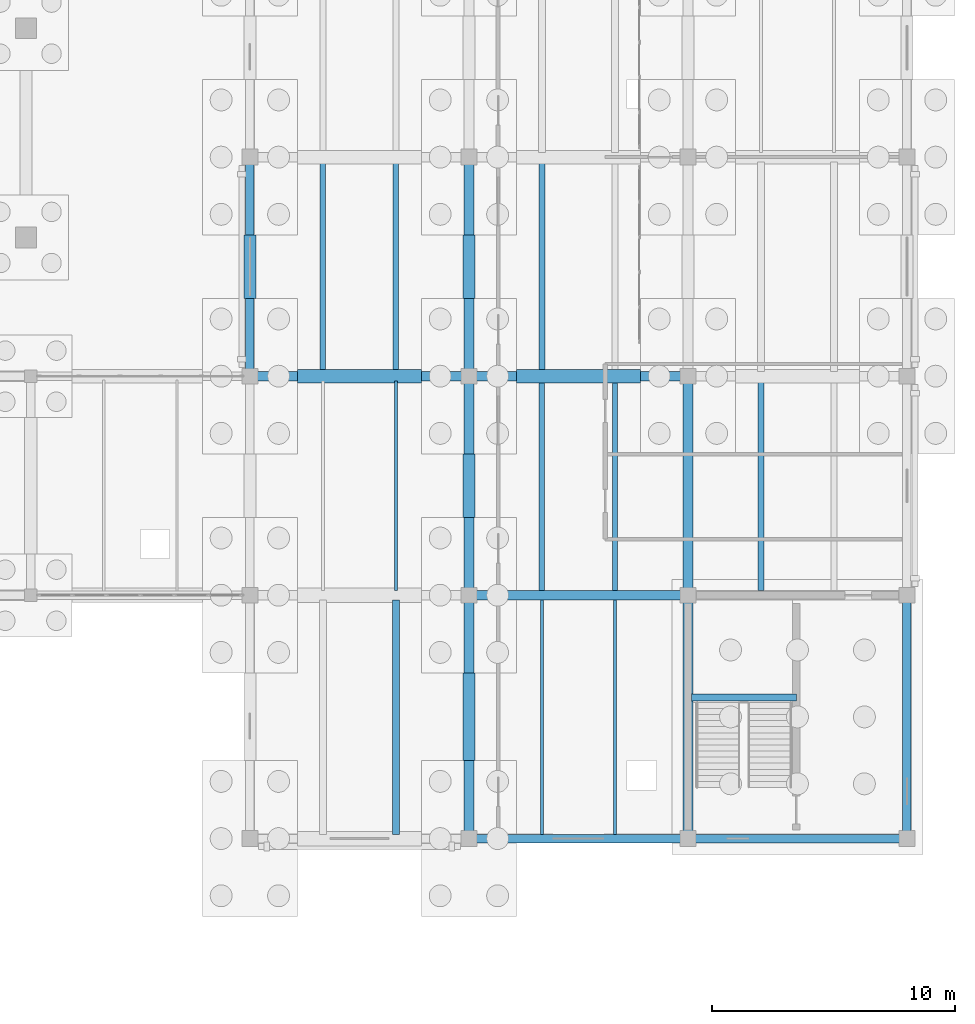
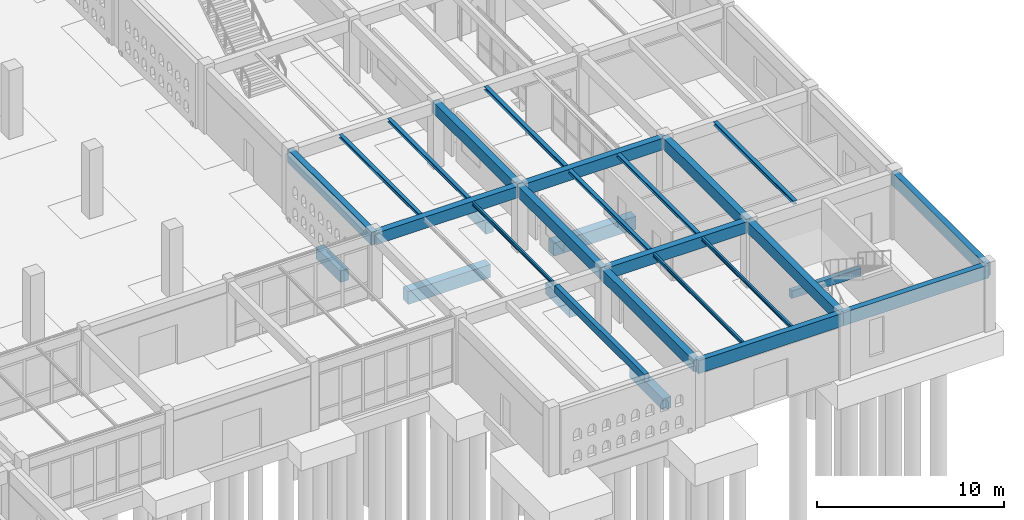
# One storey, part 113 of 186: 29 beams.
"""IFC4 building model written with IfcOpenShell, lengths in metres."""

import ifcopenshell
import ifcopenshell.guid

model = None  # the IFC model being written
_history = None  # IfcOwnerHistory: only IFC2X3 demands one
_inside = {}  # id of a spatial element -> (the spatial element, [elements in it])
_under = {}  # id of a project, library or spatial element -> (it, [spatial elements below it])
_declared = {}  # id of a project -> (the project, [libraries it declares])
_typed = {}  # id of a type object -> (the type object, [elements of that type])
_made_of = {}  # id of a material, layer set ... -> (it, [elements and type objects made of it])


def new_model(schema):
    """Start an empty IFC model of exactly this schema.

    Asked for "IFC4X3", IfcOpenShell would pick the latest addendum, in which some entities
    have other attributes; the version numbers below select the first issue.
    IFC2X3 requires an IfcOwnerHistory on every rooted entity: one is made here for all.
    """
    global model, _history
    if schema == "IFC4X3":
        model = ifcopenshell.file(schema_version=(4, 3, 0, 0))
    else:
        model = ifcopenshell.file(schema=schema)
    _inside.clear()
    _under.clear()
    _declared.clear()
    _typed.clear()
    _made_of.clear()
    _history = None
    if model.schema == "IFC2X3":
        org = make("IfcOrganization", Name="unknown")
        user = make(
            "IfcPersonAndOrganization",
            ThePerson=make("IfcPerson", FamilyName="unknown"),
            TheOrganization=org,
        )
        app = make(
            "IfcApplication",
            ApplicationDeveloper=org,
            Version="unknown",
            ApplicationFullName="unknown",
            ApplicationIdentifier="unknown",
        )
        _history = make(
            "IfcOwnerHistory",
            OwningUser=user,
            OwningApplication=app,
            ChangeAction="ADDED",
            CreationDate=0,
        )
    return model


def make(cls, **values):
    """One entity of the class cls with the attributes given. An attribute that is None is left unset."""
    return model.create_entity(
        cls, **{name: value for name, value in values.items() if value is not None}
    )


def rooted(cls, **values):
    """An entity with a GlobalId (a new one), such as an element, a storey or a relation."""
    return make(cls, GlobalId=ifcopenshell.guid.new(), OwnerHistory=_history, **values)


def si_unit(unit_type, name, prefix=None):
    """IfcSIUnit, for example si_unit("LENGTHUNIT", "METRE", prefix="MILLI")."""
    return make("IfcSIUnit", UnitType=unit_type, Prefix=prefix, Name=name)


def assignment(units):
    """IfcUnitAssignment: the units of a project."""
    return None if units is None else make("IfcUnitAssignment", Units=units)


def point(xyz):
    """IfcCartesianPoint."""
    return None if xyz is None else make("IfcCartesianPoint", Coordinates=xyz)


def direction(xyz):
    """IfcDirection."""
    return None if xyz is None else make("IfcDirection", DirectionRatios=xyz)


def frame(location, z_axis=None, x_axis=None):
    """IfcAxis2Placement3D, a coordinate frame: its origin and axes. An axis left out is left unset."""
    return make(
        "IfcAxis2Placement3D",
        Location=point(location),
        Axis=direction(z_axis),
        RefDirection=direction(x_axis),
    )


def frame_2d(location, x_axis=None):
    """IfcAxis2Placement2D, a coordinate frame in the plane: its origin and x axis."""
    return make(
        "IfcAxis2Placement2D", Location=point(location), RefDirection=direction(x_axis)
    )


def origin():
    """The frame at (0, 0, 0) with its axes left unset."""
    return frame((0.0, 0.0, 0.0))


def origin_2d():
    """The frame at (0, 0) in the plane with its x axis left unset."""
    return frame_2d((0.0, 0.0))


def place(relative_to, where):
    """IfcLocalPlacement: puts the frame where relative to a parent placement (None: the world)."""
    return make(
        "IfcLocalPlacement", PlacementRelTo=relative_to, RelativePlacement=where
    )


def context(
    kind, dimensions, precision=None, world=None, true_north=None, identifier=None
):
    """IfcGeometricRepresentationContext, for example the 3D "Model" context."""
    return make(
        "IfcGeometricRepresentationContext",
        ContextIdentifier=identifier,
        ContextType=kind,
        CoordinateSpaceDimension=dimensions,
        Precision=precision,
        WorldCoordinateSystem=world,
        TrueNorth=true_north,
    )


def subcontext(parent, identifier, kind, view, scale=None):
    """IfcGeometricRepresentationSubContext, for example "Body" below "Model"."""
    return make(
        "IfcGeometricRepresentationSubContext",
        ContextIdentifier=identifier,
        ContextType=kind,
        ParentContext=parent,
        TargetScale=scale,
        TargetView=view,
    )


def project(units=None, contexts=None):
    """IfcProject with its units and contexts."""
    return rooted(
        "IfcProject",
        Name="project",
        RepresentationContexts=contexts,
        UnitsInContext=assignment(units),
    )


def spatial(cls, under=None, at=None, **own):
    """A site, building, storey or space (cls), placed at a placement, below another one or the project."""
    s = rooted(cls, ObjectPlacement=at, **own)
    if under is not None:
        _under.setdefault(under.id(), (under, []))[1].append(s)
    return s


def profile(cls, at=None, kind="AREA", **sizes):
    """A parametric profile (cls). Its sizes go by their IFC names, for example OverallWidth=200.0."""
    return make(cls, ProfileType=kind, Position=at, **sizes)


def rectangle(**sizes):
    """IfcRectangleProfileDef."""
    return profile("IfcRectangleProfileDef", **sizes)


def i_section(**sizes):
    """IfcIShapeProfileDef."""
    return profile("IfcIShapeProfileDef", **sizes)


def extrude(swept, where, along, depth):
    """IfcExtrudedAreaSolid: the profile swept, set in the frame where, extruded along a direction by depth."""
    return make(
        "IfcExtrudedAreaSolid",
        SweptArea=swept,
        Position=where,
        ExtrudedDirection=direction(along),
        Depth=depth,
    )


def shape(context_of_items, identifier, shape_type, items):
    """IfcShapeRepresentation: the items that make up one representation, for example the "Body"."""
    return make(
        "IfcShapeRepresentation",
        ContextOfItems=context_of_items,
        RepresentationIdentifier=identifier,
        RepresentationType=shape_type,
        Items=items,
    )


def material(Name=None, Category=None):
    """IfcMaterial."""
    return make("IfcMaterial", Name=Name, Category=Category)


def material_profile(
    of_material, cross_section, Name=None, Category=None, Priority=None
):
    """IfcMaterialProfile: a cross section and its material."""
    return make(
        "IfcMaterialProfile",
        Name=Name,
        Material=of_material,
        Profile=cross_section,
        Priority=Priority,
        Category=Category,
    )


def profile_set(profiles, Name=None, composite=None):
    """IfcMaterialProfileSet."""
    return make(
        "IfcMaterialProfileSet",
        Name=Name,
        MaterialProfiles=profiles,
        CompositeProfile=composite,
    )


def made_of(thing, what):
    """Note that an element or type object is made of a material, layer set ...; save() writes the relation."""
    if what is not None:
        _made_of.setdefault(what.id(), (what, []))[1].append(thing)
    return thing


def type_object(cls, material=None, **own):
    """A type object (cls), such as IfcWallType, which elements share."""
    return made_of(rooted(cls, **own), material)


def element(
    cls,
    number,
    at=None,
    inside=None,
    cuts=None,
    type_object=None,
    material=None,
    context=None,
    identifier="Body",
    shape_type=None,
    held_by="IfcProductDefinitionShape",
    body=None,
    shapes=None,
    **own,
):
    """One element of the class cls, such as IfcWall. Its Tag is "e" and its number.

    at: its placement. inside: the storey or other place that contains it. cuts: it is an
    opening in that element (IfcRelVoidsElement). A single representation is given by context,
    identifier, shape_type and body (its items); several are given by shapes. held_by: the class
    of the entity that holds the representations. save() writes the other relations.
    """
    e = rooted(cls, Tag="e%d" % number, ObjectPlacement=at, **own)
    if body is not None:
        shapes = [shape(context, identifier, shape_type, body)]
    if shapes is not None:
        e.Representation = make(held_by, Representations=shapes)
    if inside is not None:
        _inside.setdefault(inside.id(), (inside, []))[1].append(e)
    if cuts is not None:
        rooted(
            "IfcRelVoidsElement", RelatingBuildingElement=cuts, RelatedOpeningElement=e
        )
    if type_object is not None:
        _typed.setdefault(type_object.id(), (type_object, []))[1].append(e)
    return made_of(e, material)


def aggregate(whole, parts):
    """IfcRelAggregates: a whole, such as a stair, and the parts it consists of."""
    return rooted("IfcRelAggregates", RelatingObject=whole, RelatedObjects=parts)


def save(model, path):
    """Write the relations noted so far, then the file.

    IfcRelAggregates (storeys below a building ...), IfcRelContainedInSpatialStructure (elements
    in a storey), IfcRelDefinesByType, IfcRelAssociatesMaterial and IfcRelDeclares: one each for
    every whole, place, type object, material and project.
    """
    for whole, parts in _under.values():
        aggregate(whole, parts)
    for where, things in _inside.values():
        rooted(
            "IfcRelContainedInSpatialStructure",
            RelatedElements=things,
            RelatingStructure=where,
        )
    for kind, things in _typed.values():
        rooted("IfcRelDefinesByType", RelatedObjects=things, RelatingType=kind)
    for what, things in _made_of.values():
        rooted("IfcRelAssociatesMaterial", RelatedObjects=things, RelatingMaterial=what)
    for by, libraries in _declared.values():
        rooted("IfcRelDeclares", RelatingContext=by, RelatedDefinitions=libraries)
    model.write(path)


model = new_model("IFC4")

# Units and contexts
model_context = context("Model", 3, precision=1e-05, world=origin(), true_north=direction((0.0, 1.0)))
body_context = subcontext(model_context, "Body", "Model", "MODEL_VIEW")
ifc_project = project(units=[si_unit("LENGTHUNIT", "METRE"), si_unit("AREAUNIT", "SQUARE_METRE"), si_unit("VOLUMEUNIT", "CUBIC_METRE"), si_unit("PLANEANGLEUNIT", "RADIAN"), si_unit("MASSUNIT", "GRAM", prefix="KILO")], contexts=[model_context])

# Site, building, storey
site_placement = place(None, origin())
site = spatial("IfcSite", under=ifc_project, at=site_placement, CompositionType="ELEMENT")
building_placement = place(site_placement, origin())
building = spatial("IfcBuilding", under=site, at=building_placement, Name="Ornek Quay Market", CompositionType="ELEMENT")
storey_placement = place(building_placement, origin())
storey = spatial("IfcBuildingStorey", under=building, at=storey_placement, Name="L00", CompositionType="ELEMENT", Elevation=0.0)

# Beams
ifc_material_1 = material(Name="Concrete C35/45", Category="concrete")
ifc_material_profile_1 = material_profile(ifc_material_1, rectangle(XDim=0.39990234375, YDim=0.75, at=origin_2d()), Name="RC 400x750", Category="concrete")
ifc_profile_set_1 = profile_set([ifc_material_profile_1], Name="Concrete C35/45")
beam_type_1 = type_object("IfcBeamType", Name="BM-CS-400x750", PredefinedType="BEAM", material=ifc_profile_set_1)
for number, where, z_axis, x_axis, name in (
    (1, (162.0, 20.0, 3.875), (1.0, 0.0, 0.0), (0.0, 1.0, 0.0), "Primary beam B-CS1-002"),
    (2, (153.0, 29.0, 3.875), (1.0, 0.0, 0.0), (0.0, 1.0, 0.0), "Primary beam B-CS1-004"),
    (3, (162.0, 29.0, 3.875), (1.0, 0.0, 0.0), (0.0, 1.0, 0.0), "Primary beam B-CS1-005"),
):
    element("IfcBeam", number, at=place(storey_placement, frame(where, z_axis=z_axis, x_axis=x_axis)), inside=storey, type_object=beam_type_1, Name=name, PredefinedType="BEAM", context=body_context, shape_type="SweptSolid", body=[
        extrude(rectangle(XDim=0.39990234375, YDim=0.75, at=origin_2d()), origin(), (0.0, 0.0, 1.0), 9.0),
    ])
beam_1_placement = place(storey_placement, frame((162.0, 10.0, 3.875), z_axis=(0.0, 1.0, 0.0), x_axis=(-1.0, 0.0, 0.0)))
element("IfcBeam", 4, at=beam_1_placement, inside=storey, type_object=beam_type_1, Name="Primary beam B-CS1-016", PredefinedType="BEAM", context=body_context, shape_type="SweptSolid", body=[
    extrude(rectangle(XDim=0.39990234375, YDim=0.75, at=origin_2d()), origin(), (0.0, 0.0, 1.0), 10.0),
])
for number, where, z_axis, x_axis, name in (
    (5, (162.0, 20.0, 3.875), (0.0, 1.0, 0.0), (-1.0, 0.0, 0.0), "Primary beam B-CS1-017"),
    (6, (162.0, 29.0, 3.875), (0.0, 1.0, 0.0), (-1.0, 0.0, 0.0), "Primary beam B-CS1-018"),
):
    element("IfcBeam", number, at=place(storey_placement, frame(where, z_axis=z_axis, x_axis=x_axis)), inside=storey, type_object=beam_type_1, Name=name, PredefinedType="BEAM", context=body_context, shape_type="SweptSolid", body=[
        extrude(rectangle(XDim=0.39990234375, YDim=0.75, at=origin_2d()), origin(), (0.0, 0.0, 1.0), 9.0),
    ])
beam_2_placement = place(storey_placement, frame((171.0, 10.0, 3.875), z_axis=(0.0, 1.0, 0.0), x_axis=(-1.0, 0.0, 0.0)))
element("IfcBeam", 7, at=beam_2_placement, inside=storey, type_object=beam_type_1, Name="Primary beam B-CS1-022", PredefinedType="BEAM", context=body_context, shape_type="SweptSolid", body=[
    extrude(rectangle(XDim=0.39990234375, YDim=0.75, at=origin_2d()), origin(), (0.0, 0.0, 1.0), 10.0),
])
beam_3_placement = place(storey_placement, frame((171.0, 20.0, 3.875), z_axis=(0.0, 1.0, 0.0), x_axis=(-1.0, 0.0, 0.0)))
element("IfcBeam", 8, at=beam_3_placement, inside=storey, type_object=beam_type_1, Name="Primary beam B-CS1-023", PredefinedType="BEAM", context=body_context, shape_type="SweptSolid", body=[
    extrude(rectangle(XDim=0.39990234375, YDim=0.75, at=origin_2d()), origin(), (0.0, 0.0, 1.0), 9.0),
])
ifc_material_profile_2 = material_profile(ifc_material_1, rectangle(XDim=0.5, YDim=0.75, at=origin_2d()), Name="RC 500x750", Category="concrete")
ifc_profile_set_2 = profile_set([ifc_material_profile_2], Name="Concrete C35/45")
beam_type_2 = type_object("IfcBeamType", Name="BM-GB-500x750", PredefinedType="BEAM", material=ifc_profile_set_2)
beam_4_placement = place(storey_placement, frame((153.0, 32.199951171875, -0.574951171875), z_axis=(0.0, 1.0, 0.0), x_axis=(-1.0, 0.0, 0.0)))
element("IfcBeam", 9, at=beam_4_placement, inside=storey, type_object=beam_type_2, Name="Ground tie beam GB-390", PredefinedType="BEAM", context=body_context, shape_type="SweptSolid", body=[
    extrude(rectangle(XDim=0.5, YDim=0.75, at=origin_2d()), origin(), (0.0, 0.0, 1.0), 2.60009765625),
])
beam_5_placement = place(storey_placement, frame((162.0, 13.199951171875, -0.574951171875), z_axis=(0.0, 1.0, 0.0), x_axis=(-1.0, 0.0, 0.0)))
element("IfcBeam", 10, at=beam_5_placement, inside=storey, type_object=beam_type_2, Name="Ground tie beam GB-400", PredefinedType="BEAM", context=body_context, shape_type="SweptSolid", body=[
    extrude(rectangle(XDim=0.5, YDim=0.75, at=origin_2d()), origin(), (0.0, 0.0, 1.0), 3.60009765625),
])
for number, where, z_axis, x_axis, name in (
    (11, (162.0, 23.199951171875, -0.574951171875), (0.0, 1.0, 0.0), (-1.0, 0.0, 0.0), "Ground tie beam GB-401"),
    (12, (162.0, 32.199951171875, -0.574951171875), (0.0, 1.0, 0.0), (-1.0, 0.0, 0.0), "Ground tie beam GB-402"),
):
    element("IfcBeam", number, at=place(storey_placement, frame(where, z_axis=z_axis, x_axis=x_axis)), inside=storey, type_object=beam_type_2, Name=name, PredefinedType="BEAM", context=body_context, shape_type="SweptSolid", body=[
        extrude(rectangle(XDim=0.5, YDim=0.75, at=origin_2d()), origin(), (0.0, 0.0, 1.0), 2.60009765625),
    ])
ifc_material_profile_3 = material_profile(ifc_material_1, rectangle(XDim=0.550048828125, YDim=0.85009765625, at=origin_2d()), Name="RC 550x850", Category="concrete")
ifc_profile_set_3 = profile_set([ifc_material_profile_3], Name="Concrete C35/45")
beam_type_3 = type_object("IfcBeamType", Name="BM-GB-550x850", PredefinedType="BEAM", material=ifc_profile_set_3)
for number, where, z_axis, x_axis, name in (
    (13, (154.949951171875, 29.0, -0.625), (1.0, 0.0, 0.0), (0.0, 1.0, 0.0), "Ground tie beam GB-314"),
    (14, (163.949951171875, 29.0, -0.625), (1.0, 0.0, 0.0), (0.0, 1.0, 0.0), "Ground tie beam GB-315"),
):
    element("IfcBeam", number, at=place(storey_placement, frame(where, z_axis=z_axis, x_axis=x_axis)), inside=storey, type_object=beam_type_3, Name=name, PredefinedType="BEAM", context=body_context, shape_type="SweptSolid", body=[
        extrude(rectangle(XDim=0.550048828125, YDim=0.85009765625, at=origin_2d()), origin(), (0.0, 0.0, 1.0), 5.10009765625),
    ])
ifc_material_profile_4 = material_profile(ifc_material_1, rectangle(XDim=0.280029296875, YDim=0.5, at=origin_2d()), Name="RC 280x500", Category="concrete")
ifc_profile_set_4 = profile_set([ifc_material_profile_4], Name="Concrete C35/45")
beam_type_4 = type_object("IfcBeamType", Name="BM-SEC-280x500", PredefinedType="JOIST", material=ifc_profile_set_4)
beam_6_placement = place(storey_placement, frame((159.0, 10.1669921875, 4.0), z_axis=(0.0, 1.0, 0.0), x_axis=(-1.0, 0.0, 0.0)))
element("IfcBeam", 15, at=beam_6_placement, inside=storey, type_object=beam_type_4, Name="Secondary joist B-SC2-080", PredefinedType="JOIST", context=body_context, shape_type="SweptSolid", body=[
    extrude(rectangle(XDim=0.280029296875, YDim=0.5, at=origin_2d()), origin(), (0.0, 0.0, 1.0), 9.64111328125),
])
beam_7_placement = place(storey_placement, frame((171.14990234375, 15.7919921875, 1.8349609375), z_axis=(1.0, 0.0, 0.0), x_axis=(0.0, 1.0, 0.0)))
element("IfcBeam", 16, at=beam_7_placement, inside=storey, type_object=beam_type_4, Name="Stair landing beam BL-14", PredefinedType="JOIST", context=body_context, shape_type="SweptSolid", body=[
    extrude(rectangle(XDim=0.280029296875, YDim=0.5, at=origin_2d()), origin(), (0.0, 0.0, 1.0), 4.300048828125),
])
ifc_material_2 = material(Name="Concrete C40/50", Category="concrete")
ifc_material_profile_5 = material_profile(ifc_material_2, rectangle(XDim=0.35009765625, YDim=0.85009765625, at=origin_2d()), Name="RC 350x850", Category="concrete")
ifc_profile_set_5 = profile_set([ifc_material_profile_5], Name="Concrete C40/50")
beam_type_5 = type_object("IfcBeamType", Name="BM-SPN-350x850", PredefinedType="SPANDREL", material=ifc_profile_set_5)
for number, where, z_axis, x_axis, name in (
    (17, (162.0, 10.0, 3.824951171875), (1.0, 0.0, 0.0), (0.0, 1.0, 0.0), "Primary beam B-SP1-118"),
    (18, (171.0, 10.0, 3.824951171875), (1.0, 0.0, 0.0), (0.0, 1.0, 0.0), "Primary beam B-SP1-119"),
    (19, (153.0, 29.0, 3.824951171875), (0.0, 1.0, 0.0), (-1.0, 0.0, 0.0), "Primary beam B-SP1-121"),
):
    element("IfcBeam", number, at=place(storey_placement, frame(where, z_axis=z_axis, x_axis=x_axis)), inside=storey, type_object=beam_type_5, Name=name, PredefinedType="SPANDREL", context=body_context, shape_type="SweptSolid", body=[
        extrude(rectangle(XDim=0.35009765625, YDim=0.85009765625, at=origin_2d()), origin(), (0.0, 0.0, 1.0), 9.0),
    ])
beam_8_placement = place(storey_placement, frame((180.0, 10.0, 3.824951171875), z_axis=(0.0, 1.0, 0.0), x_axis=(-1.0, 0.0, 0.0)))
element("IfcBeam", 20, at=beam_8_placement, inside=storey, type_object=beam_type_5, Name="Primary beam B-SP1-125", PredefinedType="SPANDREL", context=body_context, shape_type="SweptSolid", body=[
    extrude(rectangle(XDim=0.35009765625, YDim=0.85009765625, at=origin_2d()), origin(), (0.0, 0.0, 1.0), 10.0),
])
ifc_material_3 = material(Name="Steel S355", Category="steel")
ifc_material_profile_6 = material_profile(ifc_material_3, i_section(OverallWidth=0.219970703125, OverallDepth=0.2099609375, WebThickness=0.007080078125, FlangeThickness=0.010986328125, FilletRadius=0.01806640625, at=origin_2d()), Name="HEA 220", Category="steel")
ifc_profile_set_6 = profile_set([ifc_material_profile_6], Name="Steel S355")
beam_type_6 = type_object("IfcBeamType", Name="BM-STL-HEA220", PredefinedType="BEAM", material=ifc_profile_set_6)
for number, where, z_axis, x_axis, name in (
    (21, (156.0, 29.19189453125, 4.14501953125), (0.0, 1.0, 0.0), (-1.0, 0.0, 0.0), "Secondary joist SB-13-015"),
    (22, (159.0, 29.19189453125, 4.14501953125), (0.0, 1.0, 0.0), (-1.0, 0.0, 0.0), "Secondary joist SB-13-016"),
    (23, (165.0, 20.19189453125, 4.14501953125), (0.0, 1.0, 0.0), (-1.0, 0.0, 0.0), "Secondary joist SB-13-017"),
    (24, (168.0, 20.19189453125, 4.14501953125), (0.0, 1.0, 0.0), (-1.0, 0.0, 0.0), "Secondary joist SB-13-018"),
):
    element("IfcBeam", number, at=place(storey_placement, frame(where, z_axis=z_axis, x_axis=x_axis)), inside=storey, type_object=beam_type_6, Name=name, PredefinedType="BEAM", context=body_context, shape_type="SweptSolid", body=[
        extrude(i_section(OverallWidth=0.219970703125, OverallDepth=0.2099609375, WebThickness=0.007080078125, FlangeThickness=0.010986328125, FilletRadius=0.01806640625, at=origin_2d()), origin(), (0.0, 0.0, 1.0), 8.6162109375),
    ])
ifc_material_profile_7 = material_profile(ifc_material_3, i_section(OverallWidth=0.239990234375, OverallDepth=0.22998046875, WebThickness=0.007568359375, FlangeThickness=0.011962890625, FilletRadius=0.02099609375, at=origin_2d()), Name="HEA 240", Category="steel")
ifc_profile_set_7 = profile_set([ifc_material_profile_7], Name="Steel S355")
beam_type_7 = type_object("IfcBeamType", Name="BM-STL-HEA240", PredefinedType="BEAM", material=ifc_profile_set_7)
for number, where, z_axis, x_axis, name in (
    (25, (165.0, 29.19189453125, 4.135009765625), (0.0, 1.0, 0.0), (-1.0, 0.0, 0.0), "Secondary joist SB-14-017"),
    (26, (174.0, 20.19189453125, 4.135009765625), (0.0, 1.0, 0.0), (-1.0, 0.0, 0.0), "Secondary joist SB-14-019"),
):
    element("IfcBeam", number, at=place(storey_placement, frame(where, z_axis=z_axis, x_axis=x_axis)), inside=storey, type_object=beam_type_7, Name=name, PredefinedType="BEAM", context=body_context, shape_type="SweptSolid", body=[
        extrude(i_section(OverallWidth=0.239990234375, OverallDepth=0.22998046875, WebThickness=0.007568359375, FlangeThickness=0.011962890625, FilletRadius=0.02099609375, at=origin_2d()), origin(), (0.0, 0.0, 1.0), 8.6162109375),
    ])
ifc_material_profile_8 = material_profile(ifc_material_3, i_section(OverallWidth=0.1201171875, OverallDepth=0.239990234375, WebThickness=0.006103515625, FlangeThickness=0.009765625, FilletRadius=0.014892578125, at=origin_2d()), Name="IPE 240", Category="steel")
ifc_profile_set_8 = profile_set([ifc_material_profile_8], Name="Steel S355")
beam_type_8 = type_object("IfcBeamType", Name="BM-STL-IPE240", PredefinedType="JOIST", material=ifc_profile_set_8)
beam_9_placement = place(storey_placement, frame((159.0, 20.19189453125, 4.1298828125), z_axis=(0.0, 1.0, 0.0), x_axis=(-1.0, 0.0, 0.0)))
element("IfcBeam", 27, at=beam_9_placement, inside=storey, type_object=beam_type_8, Name="Secondary joist SB-04-036", PredefinedType="JOIST", context=body_context, shape_type="SweptSolid", body=[
    extrude(i_section(OverallWidth=0.1201171875, OverallDepth=0.239990234375, WebThickness=0.006103515625, FlangeThickness=0.009765625, FilletRadius=0.014892578125, at=origin_2d()), origin(), (0.0, 0.0, 1.0), 8.6162109375),
])
for number, where, z_axis, x_axis, name in (
    (28, (165.0, 10.1669921875, 4.1298828125), (0.0, 1.0, 0.0), (-1.0, 0.0, 0.0), "Secondary joist SB-04-039"),
    (29, (168.0, 10.1669921875, 4.1298828125), (0.0, 1.0, 0.0), (-1.0, 0.0, 0.0), "Secondary joist SB-04-040"),
):
    element("IfcBeam", number, at=place(storey_placement, frame(where, z_axis=z_axis, x_axis=x_axis)), inside=storey, type_object=beam_type_8, Name=name, PredefinedType="JOIST", context=body_context, shape_type="SweptSolid", body=[
        extrude(i_section(OverallWidth=0.1201171875, OverallDepth=0.239990234375, WebThickness=0.006103515625, FlangeThickness=0.009765625, FilletRadius=0.014892578125, at=origin_2d()), origin(), (0.0, 0.0, 1.0), 9.64111328125),
    ])

save(model, "model.ifc")
